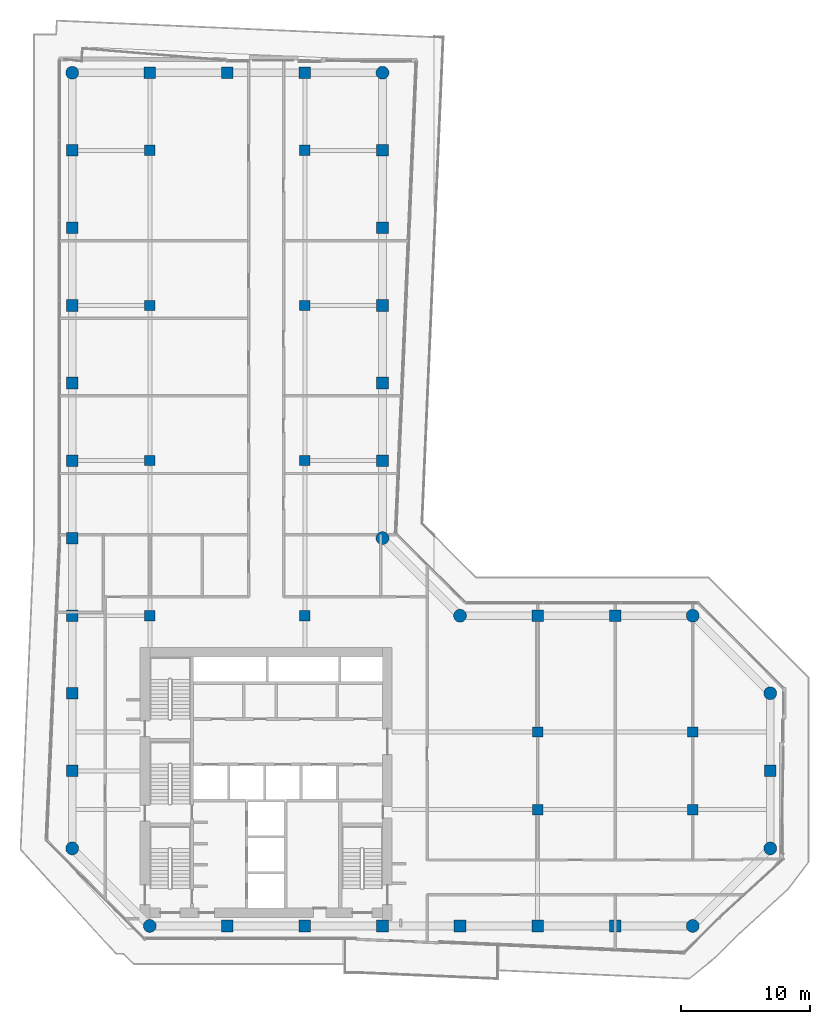
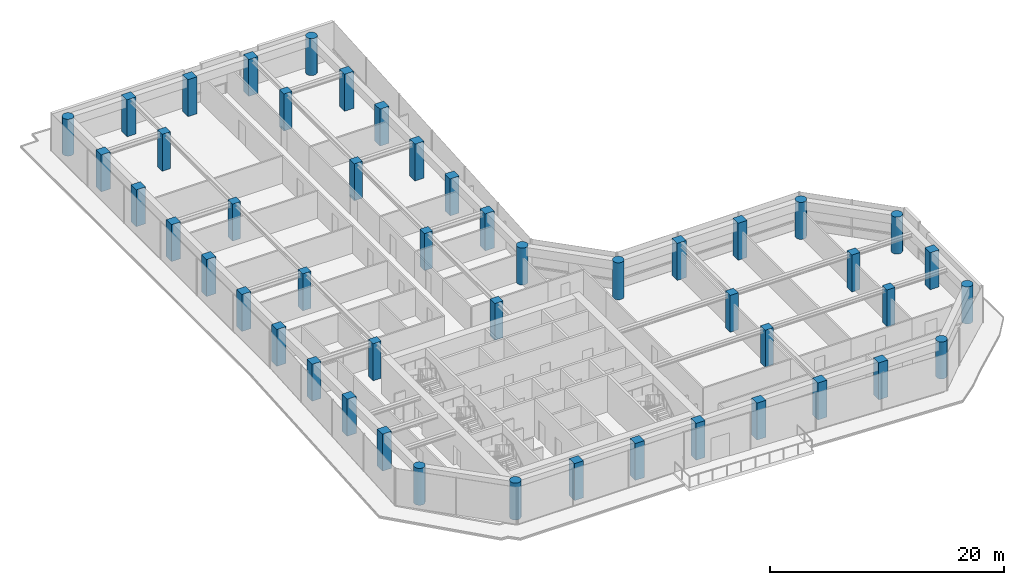
# One storey, part 1 of 25: 48 columns.
"""IFC4 building model written with IfcOpenShell, lengths in metres."""

from ifc_helpers import new_model, si_unit, direction, frame, origin, origin_2d, place, context, subcontext, project, spatial, rectangle, circle, extrude, material, material_profile, profile_set, type_object, element, save


model = new_model("IFC4")

# Units and contexts
model_context = context("Model", 3, precision=1e-05, world=origin(), true_north=direction((0.0, 1.0)))
body_context = subcontext(model_context, "Body", "Model", "MODEL_VIEW")
ifc_project = project(units=[si_unit("LENGTHUNIT", "METRE"), si_unit("AREAUNIT", "SQUARE_METRE"), si_unit("VOLUMEUNIT", "CUBIC_METRE"), si_unit("PLANEANGLEUNIT", "RADIAN"), si_unit("MASSUNIT", "GRAM", prefix="KILO")], contexts=[model_context])

# Site, building, storey
site_placement = place(None, origin())
site = spatial("IfcSite", under=ifc_project, at=site_placement, CompositionType="ELEMENT")
building_placement = place(site_placement, origin())
building = spatial("IfcBuilding", under=site, at=building_placement, Name="Welwitschia Terrace Campus", CompositionType="ELEMENT")
storey_placement = place(building_placement, frame((0.0, 0.0, 121.39990234375)))
storey = spatial("IfcBuildingStorey", under=building, at=storey_placement, Name="L27", CompositionType="ELEMENT", Elevation=121.39990234375)

# Columns
ifc_material_1 = material(Name="Concrete C60/75", Category="concrete")
ifc_material_profile_1 = material_profile(ifc_material_1, circle(Radius=0.5, at=origin_2d()))
ifc_profile_set_1 = profile_set([ifc_material_profile_1], Name="Concrete C60/75")
column_type_1 = type_object("IfcColumnType", Name="Corner column 1000 dia", PredefinedType="COLUMN", material=ifc_profile_set_1)
for number, where, z_axis, x_axis, name in (
    (1, (0.0, 10.0, 0.0), (0.0, 0.0, 1.0), (1.0, 0.0, 0.0), "Column C15"),
    (2, (0.0, 70.0, 0.0), (0.0, 0.0, 1.0), (1.0, 0.0, 0.0), "Column C15"),
    (3, (6.0, 4.0, 0.0), (0.0, 0.0, 1.0), (1.0, 0.0, 0.0), "Column C15"),
    (4, (24.0, 34.0, 0.0), (0.0, 0.0, 1.0), (1.0, 0.0, 0.0), "Column C15"),
    (5, (24.0, 70.0, 0.0), (0.0, 0.0, 1.0), (1.0, 0.0, 0.0), "Column C15"),
    (6, (30.0, 28.0, 0.0), (0.0, 0.0, 1.0), (1.0, 0.0, 0.0), "Column C15"),
    (7, (48.0, 4.0, 0.0), (0.0, 0.0, 1.0), (1.0, 0.0, 0.0), "Column C15"),
    (8, (48.0, 28.0, 0.0), (0.0, 0.0, 1.0), (1.0, 0.0, 0.0), "Column C15"),
    (9, (54.0, 10.0, 0.0), (0.0, 0.0, 1.0), (1.0, 0.0, 0.0), "Column C15"),
    (10, (54.0, 22.0, 0.0), (0.0, 0.0, 1.0), (1.0, 0.0, 0.0), "Column C15"),
):
    element("IfcColumn", number, at=place(storey_placement, frame(where, z_axis=z_axis, x_axis=x_axis)), inside=storey, type_object=column_type_1, Name=name, PredefinedType="COLUMN", context=body_context, shape_type="SweptSolid", body=[
        extrude(circle(Radius=0.5, at=origin_2d()), origin(), (0.0, 0.0, 1.0), 3.85009765625),
    ])
ifc_material_2 = material(Name="Concrete C60/75", Category="concrete")
ifc_material_profile_2 = material_profile(ifc_material_2, rectangle(XDim=0.800048828125, YDim=0.800048828125, at=origin_2d()))
ifc_profile_set_2 = profile_set([ifc_material_profile_2], Name="Concrete C60/75")
column_type_2 = type_object("IfcColumnType", Name="Interior column 800x800", PredefinedType="COLUMN", material=ifc_profile_set_2)
for number, where, z_axis, x_axis, name in (
    (11, (6.0, 28.0, 0.0), (0.0, 0.0, 1.0), (1.0, 0.0, 0.0), "Column C16"),
    (12, (6.0, 40.0, 0.0), (0.0, 0.0, 1.0), (1.0, 0.0, 0.0), "Column C16"),
    (13, (6.0, 52.0, 0.0), (0.0, 0.0, 1.0), (1.0, 0.0, 0.0), "Column C16"),
    (14, (6.0, 64.0, 0.0), (0.0, 0.0, 1.0), (1.0, 0.0, 0.0), "Column C16"),
    (15, (18.0, 28.0, 0.0), (0.0, 0.0, 1.0), (1.0, 0.0, 0.0), "Column C16"),
    (16, (18.0, 40.0, 0.0), (0.0, 0.0, 1.0), (1.0, 0.0, 0.0), "Column C16"),
    (17, (18.0, 52.0, 0.0), (0.0, 0.0, 1.0), (1.0, 0.0, 0.0), "Column C16"),
    (18, (18.0, 64.0, 0.0), (0.0, 0.0, 1.0), (1.0, 0.0, 0.0), "Column C16"),
    (19, (36.0, 13.0, 0.0), (0.0, 0.0, 1.0), (1.0, 0.0, 0.0), "Column C16"),
    (20, (36.0, 19.0, 0.0), (0.0, 0.0, 1.0), (1.0, 0.0, 0.0), "Column C16"),
    (21, (48.0, 13.0, 0.0), (0.0, 0.0, 1.0), (1.0, 0.0, 0.0), "Column C16"),
    (22, (48.0, 19.0, 0.0), (0.0, 0.0, 1.0), (1.0, 0.0, 0.0), "Column C16"),
):
    element("IfcColumn", number, at=place(storey_placement, frame(where, z_axis=z_axis, x_axis=x_axis)), inside=storey, type_object=column_type_2, Name=name, PredefinedType="COLUMN", context=body_context, shape_type="SweptSolid", body=[
        extrude(rectangle(XDim=0.800048828125, YDim=0.800048828125, at=origin_2d()), origin(), (0.0, 0.0, 1.0), 3.85009765625),
    ])
ifc_material_3 = material(Name="Concrete C60/75", Category="concrete")
ifc_material_profile_3 = material_profile(ifc_material_3, rectangle(XDim=0.89990234375, YDim=0.89990234375, at=origin_2d()))
ifc_profile_set_3 = profile_set([ifc_material_profile_3], Name="Concrete C60/75")
column_type_3 = type_object("IfcColumnType", Name="Ring column 900x900", PredefinedType="COLUMN", material=ifc_profile_set_3)
for number, where, z_axis, x_axis, name in (
    (23, (0.0, 16.0, 0.0), (0.0, 0.0, 1.0), (1.0, 0.0, 0.0), "Column C14"),
    (24, (0.0, 22.0, 0.0), (0.0, 0.0, 1.0), (1.0, 0.0, 0.0), "Column C14"),
    (25, (0.0, 28.0, 0.0), (0.0, 0.0, 1.0), (1.0, 0.0, 0.0), "Column C14"),
    (26, (0.0, 34.0, 0.0), (0.0, 0.0, 1.0), (1.0, 0.0, 0.0), "Column C14"),
    (27, (0.0, 40.0, 0.0), (0.0, 0.0, 1.0), (1.0, 0.0, 0.0), "Column C14"),
    (28, (0.0, 46.0, 0.0), (0.0, 0.0, 1.0), (1.0, 0.0, 0.0), "Column C14"),
    (29, (0.0, 52.0, 0.0), (0.0, 0.0, 1.0), (1.0, 0.0, 0.0), "Column C14"),
    (30, (0.0, 58.0, 0.0), (0.0, 0.0, 1.0), (1.0, 0.0, 0.0), "Column C14"),
    (31, (0.0, 64.0, 0.0), (0.0, 0.0, 1.0), (1.0, 0.0, 0.0), "Column C14"),
    (32, (6.0, 70.0, 0.0), (0.0, 0.0, 1.0), (1.0, 0.0, 0.0), "Column C14"),
    (33, (12.0, 4.0, 0.0), (0.0, 0.0, 1.0), (1.0, 0.0, 0.0), "Column C14"),
    (34, (12.0, 70.0, 0.0), (0.0, 0.0, 1.0), (1.0, 0.0, 0.0), "Column C14"),
    (35, (18.0, 4.0, 0.0), (0.0, 0.0, 1.0), (1.0, 0.0, 0.0), "Column C14"),
    (36, (18.0, 70.0, 0.0), (0.0, 0.0, 1.0), (1.0, 0.0, 0.0), "Column C14"),
    (37, (24.0, 4.0, 0.0), (0.0, 0.0, 1.0), (1.0, 0.0, 0.0), "Column C14"),
    (38, (24.0, 40.0, 0.0), (0.0, 0.0, 1.0), (1.0, 0.0, 0.0), "Column C14"),
    (39, (24.0, 46.0, 0.0), (0.0, 0.0, 1.0), (1.0, 0.0, 0.0), "Column C14"),
    (40, (24.0, 52.0, 0.0), (0.0, 0.0, 1.0), (1.0, 0.0, 0.0), "Column C14"),
    (41, (24.0, 58.0, 0.0), (0.0, 0.0, 1.0), (1.0, 0.0, 0.0), "Column C14"),
    (42, (24.0, 64.0, 0.0), (0.0, 0.0, 1.0), (1.0, 0.0, 0.0), "Column C14"),
    (43, (30.0, 4.0, 0.0), (0.0, 0.0, 1.0), (1.0, 0.0, 0.0), "Column C14"),
    (44, (36.0, 4.0, 0.0), (0.0, 0.0, 1.0), (1.0, 0.0, 0.0), "Column C14"),
    (45, (36.0, 28.0, 0.0), (0.0, 0.0, 1.0), (1.0, 0.0, 0.0), "Column C14"),
    (46, (42.0, 4.0, 0.0), (0.0, 0.0, 1.0), (1.0, 0.0, 0.0), "Column C14"),
    (47, (42.0, 28.0, 0.0), (0.0, 0.0, 1.0), (1.0, 0.0, 0.0), "Column C14"),
    (48, (54.0, 16.0, 0.0), (0.0, 0.0, 1.0), (1.0, 0.0, 0.0), "Column C14"),
):
    element("IfcColumn", number, at=place(storey_placement, frame(where, z_axis=z_axis, x_axis=x_axis)), inside=storey, type_object=column_type_3, Name=name, PredefinedType="COLUMN", context=body_context, shape_type="SweptSolid", body=[
        extrude(rectangle(XDim=0.89990234375, YDim=0.89990234375, at=origin_2d()), origin(), (0.0, 0.0, 1.0), 3.85009765625),
    ])

save(model, "model.ifc")
